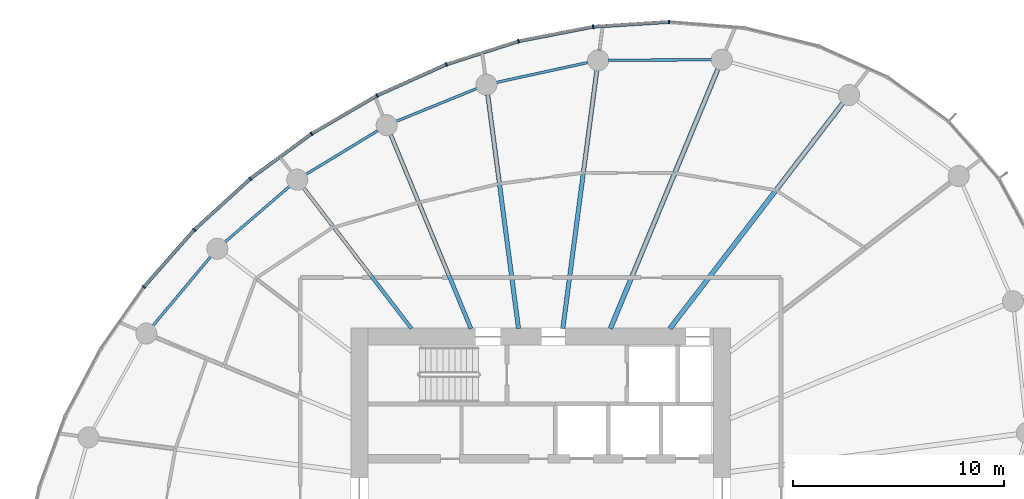
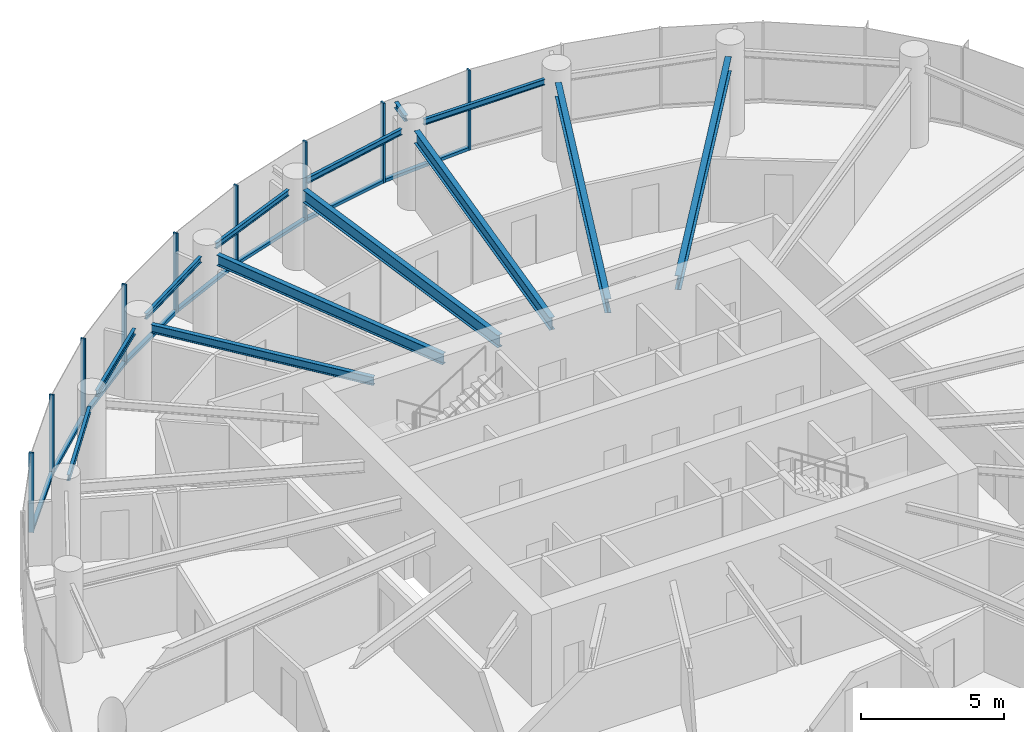
# One storey, part 5 of 15: 17 members, 13 beams, 3 elements without a shape of their own.
"""IFC4 building model written with IfcOpenShell, lengths in metres."""

from ifc_helpers import new_model, si_unit, direction, frame, origin, origin_2d, place, context, subcontext, project, spatial, rectangle, i_section, extrude, source, transform, mapped, material, layer, layer_set, material_profile, profile_set, type_object, element, aggregate, save


model = new_model("IFC4")

# Units and contexts
model_context = context("Model", 3, precision=1e-05, world=origin(), true_north=direction((0.0, 1.0)))
body_context = subcontext(model_context, "Body", "Model", "MODEL_VIEW")
ifc_project = project(units=[si_unit("LENGTHUNIT", "METRE"), si_unit("AREAUNIT", "SQUARE_METRE"), si_unit("VOLUMEUNIT", "CUBIC_METRE"), si_unit("PLANEANGLEUNIT", "RADIAN"), si_unit("MASSUNIT", "GRAM", prefix="KILO")], contexts=[model_context])

# Site, building, storey
site_placement = place(None, origin())
site = spatial("IfcSite", under=ifc_project, at=site_placement, CompositionType="ELEMENT")
building_placement = place(site_placement, origin())
building = spatial("IfcBuilding", under=site, at=building_placement, Name="Spindrift Exchange Tower", CompositionType="ELEMENT")
storey_placement = place(building_placement, frame((0.0, 0.0, 176.0)))
storey = spatial("IfcBuildingStorey", under=building, at=storey_placement, Name="L42", CompositionType="ELEMENT", Elevation=176.0)

# Beams
ifc_material_1 = material(Name="Steel Grade 300", Category="steel")
ifc_material_profile_1 = material_profile(ifc_material_1, i_section(OverallWidth=0.14599609375, OverallDepth=0.251953125, WebThickness=0.006103515625, FlangeThickness=0.008544921875, FilletRadius=0.011962890625, at=origin_2d()), Name="250UB31.4")
ifc_profile_set_1 = profile_set([ifc_material_profile_1], Name="Steel Grade 300")
beam_type_1 = type_object("IfcBeamType", Name="Cantilever Beam 250UB31.4 Steel Grade 300", PredefinedType="BEAM", material=ifc_profile_set_1)
shared_shape_1 = source(origin(), body_context, "Body", "SweptSolid", [
    extrude(i_section(OverallWidth=0.14599609375, OverallDepth=0.251953125, WebThickness=0.006103515625, FlangeThickness=0.008544921875, FilletRadius=0.011962890625, at=origin_2d()), origin(), (0.0, 0.0, 1.0), 0.9267578125),
])
beam_1_placement = place(storey_placement, frame((54.78857421875, 69.18115234375, 3.27392578125), z_axis=(0.130386374353, 0.991463258716, 0.0), x_axis=(-0.991463258716, 0.130386374353, 0.0)))
element("IfcBeam", 1, at=beam_1_placement, inside=storey, type_object=beam_type_1, Name="L42 cantilever beam R06T", PredefinedType="BEAM", context=body_context, shape_type="MappedRepresentation", body=[
    mapped(shared_shape_1, transform((0.0, 0.0, 0.0), scale=1.0)),
])
ifc_material_profile_2 = material_profile(ifc_material_1, i_section(OverallWidth=0.1240234375, OverallDepth=0.248046875, WebThickness=0.0048828125, FlangeThickness=0.008056640625, FilletRadius=0.011962890625, at=origin_2d()), Name="250UB25.7")
ifc_profile_set_2 = profile_set([ifc_material_profile_2], Name="Steel Grade 300")
beam_type_2 = type_object("IfcBeamType", Name="Edge Beam 250UB25.7 Steel Grade 300", PredefinedType="SPANDREL", material=ifc_profile_set_2)
shared_shape_2 = source(origin(), body_context, "Body", "SweptSolid", [
    extrude(i_section(OverallWidth=0.1240234375, OverallDepth=0.248046875, WebThickness=0.0048828125, FlangeThickness=0.008056640625, FilletRadius=0.011962890625, at=origin_2d()), origin(), (0.0, 0.0, 1.0), 4.901123046875),
])
beam_2_placement = place(storey_placement, frame((60.10693359375, 68.728759765625, 3.27587890625), z_axis=(-0.999990609444, -0.004333707747, 0.0), x_axis=(0.004333707747, -0.999990609444, 0.0)))
element("IfcBeam", 2, at=beam_2_placement, inside=storey, type_object=beam_type_2, Name="L42 edge beam E05", PredefinedType="SPANDREL", context=body_context, shape_type="MappedRepresentation", body=[
    mapped(shared_shape_2, transform((0.0, 0.0, 0.0), scale=1.0)),
])
shared_shape_3 = source(origin(), body_context, "Body", "SweptSolid", [
    extrude(i_section(OverallWidth=0.1240234375, OverallDepth=0.248046875, WebThickness=0.0048828125, FlangeThickness=0.008056640625, FilletRadius=0.011962890625, at=origin_2d()), origin(), (0.0, 0.0, 1.0), 4.464111328125),
])
beam_3_placement = place(storey_placement, frame((54.2568359375, 68.603271484375, 3.27587890625), z_axis=(-0.977095837978, -0.212799726048, 0.0), x_axis=(0.212799726048, -0.977095837978, 0.0)))
element("IfcBeam", 3, at=beam_3_placement, inside=storey, type_object=beam_type_2, Name="L42 edge beam E06", PredefinedType="SPANDREL", context=body_context, shape_type="MappedRepresentation", body=[
    mapped(shared_shape_3, transform((0.0, 0.0, 0.0), scale=1.0)),
])
shared_shape_4 = source(origin(), body_context, "Body", "SweptSolid", [
    extrude(i_section(OverallWidth=0.1240234375, OverallDepth=0.248046875, WebThickness=0.0048828125, FlangeThickness=0.008056640625, FilletRadius=0.011962890625, at=origin_2d()), origin(), (0.0, 0.0, 1.0), 4.143798828125),
])
beam_4_placement = place(storey_placement, frame((48.9814453125, 67.3701171875, 3.27587890625), z_axis=(-0.926113706975, -0.377244485385, 0.0), x_axis=(0.377244485385, -0.926113706975, 0.0)))
element("IfcBeam", 4, at=beam_4_placement, inside=storey, type_object=beam_type_2, Name="L42 edge beam E07", PredefinedType="SPANDREL", context=body_context, shape_type="MappedRepresentation", body=[
    mapped(shared_shape_4, transform((0.0, 0.0, 0.0), scale=1.0)),
])
shared_shape_5 = source(origin(), body_context, "Body", "SweptSolid", [
    extrude(i_section(OverallWidth=0.1240234375, OverallDepth=0.248046875, WebThickness=0.0048828125, FlangeThickness=0.008056640625, FilletRadius=0.011962890625, at=origin_2d()), origin(), (0.0, 0.0, 1.0), 4.00634765625),
])
beam_5_placement = place(storey_placement, frame((44.2890625, 65.376220703125, 3.27587890625), z_axis=(-0.854331495603, -0.519728482596, 0.0), x_axis=(0.519728482596, -0.854331495603, 0.0)))
element("IfcBeam", 5, at=beam_5_placement, inside=storey, type_object=beam_type_2, Name="L42 edge beam E08", PredefinedType="SPANDREL", context=body_context, shape_type="MappedRepresentation", body=[
    mapped(shared_shape_5, transform((0.0, 0.0, 0.0), scale=1.0)),
])
shared_shape_6 = source(origin(), body_context, "Body", "SweptSolid", [
    extrude(i_section(OverallWidth=0.1240234375, OverallDepth=0.248046875, WebThickness=0.0048828125, FlangeThickness=0.008056640625, FilletRadius=0.011962890625, at=origin_2d()), origin(), (0.0, 0.0, 1.0), 4.052001953125),
])
beam_6_placement = place(storey_placement, frame((40.093017578125, 62.730712890625, 3.27587890625), z_axis=(-0.756715968535, -0.65374379, 0.0), x_axis=(0.65374379, -0.756715968535, 0.0)))
element("IfcBeam", 6, at=beam_6_placement, inside=storey, type_object=beam_type_2, Name="L42 edge beam E09", PredefinedType="SPANDREL", context=body_context, shape_type="MappedRepresentation", body=[
    mapped(shared_shape_6, transform((0.0, 0.0, 0.0), scale=1.0)),
])
shared_shape_7 = source(origin(), body_context, "Body", "SweptSolid", [
    extrude(i_section(OverallWidth=0.1240234375, OverallDepth=0.248046875, WebThickness=0.0048828125, FlangeThickness=0.008056640625, FilletRadius=0.011962890625, at=origin_2d()), origin(), (0.0, 0.0, 1.0), 4.282958984375),
])
beam_7_placement = place(storey_placement, frame((36.355712890625, 59.399658203125, 3.27587890625), z_axis=(-0.641400288548, -0.767206406289, 0.0), x_axis=(0.767206406289, -0.641400288548, 0.0)))
element("IfcBeam", 7, at=beam_7_placement, inside=storey, type_object=beam_type_2, Name="L42 edge beam E10", PredefinedType="SPANDREL", context=body_context, shape_type="MappedRepresentation", body=[
    mapped(shared_shape_7, transform((0.0, 0.0, 0.0), scale=1.0)),
])
ifc_material_profile_3 = material_profile(ifc_material_1, i_section(OverallWidth=0.22802734375, OverallDepth=0.60205078125, WebThickness=0.010498046875, FlangeThickness=0.014892578125, FilletRadius=0.013916015625, at=origin_2d()), Name="610UB101")
ifc_profile_set_3 = profile_set([ifc_material_profile_3], Name="Steel Grade 300")
beam_type_3 = type_object("IfcBeamType", Name="Floor Beam 610UB101 Steel Grade 300", PredefinedType="BEAM", material=ifc_profile_set_3)
shared_shape_8 = source(origin(), body_context, "Body", "SweptSolid", [
    extrude(i_section(OverallWidth=0.22802734375, OverallDepth=0.60205078125, WebThickness=0.010498046875, FlangeThickness=0.014892578125, FilletRadius=0.013916015625, at=origin_2d()), origin(), (0.0, 0.0, 1.0), 13.480224609375),
])
beam_8_placement = place(storey_placement, frame((58.12646484375, 55.984130859375, 3.09912109375), z_axis=(0.608764179541, 0.793351229726, 0.0), x_axis=(-0.793351229726, 0.608764179541, 0.0)))
element("IfcBeam", 8, at=beam_8_placement, inside=storey, type_object=beam_type_3, Name="L42 radial beam R04A", PredefinedType="BEAM", context=body_context, shape_type="MappedRepresentation", body=[
    mapped(shared_shape_8, transform((0.0, 0.0, 0.0), scale=1.0)),
])
shared_shape_9 = source(origin(), body_context, "Body", "SweptSolid", [
    extrude(i_section(OverallWidth=0.22802734375, OverallDepth=0.60205078125, WebThickness=0.010498046875, FlangeThickness=0.014892578125, FilletRadius=0.013916015625, at=origin_2d()), origin(), (0.0, 0.0, 1.0), 13.31982421875),
])
beam_9_placement = place(storey_placement, frame((55.30615234375, 55.9814453125, 3.09912109375), z_axis=(0.382676632888, 0.923882348918, 0.0), x_axis=(-0.923882348918, 0.382676632888, 0.0)))
element("IfcBeam", 9, at=beam_9_placement, inside=storey, type_object=beam_type_3, Name="L42 radial beam R05A", PredefinedType="BEAM", context=body_context, shape_type="MappedRepresentation", body=[
    mapped(shared_shape_9, transform((0.0, 0.0, 0.0), scale=1.0)),
])
ifc_material_profile_4 = material_profile(ifc_material_1, i_section(OverallWidth=0.208984375, OverallDepth=0.528076171875, WebThickness=0.009521484375, FlangeThickness=0.01318359375, FilletRadius=0.013916015625, at=origin_2d()), Name="530UB82.0")
ifc_profile_set_4 = profile_set([ifc_material_profile_4], Name="Steel Grade 300")
beam_type_4 = type_object("IfcBeamType", Name="Floor Beam 530UB82.0 Steel Grade 300", PredefinedType="BEAM", material=ifc_profile_set_4)
shared_shape_10 = source(origin(), body_context, "Body", "SweptSolid", [
    extrude(i_section(OverallWidth=0.208984375, OverallDepth=0.528076171875, WebThickness=0.009521484375, FlangeThickness=0.01318359375, FilletRadius=0.013916015625, at=origin_2d()), origin(), (0.0, 0.0, 1.0), 12.35498046875),
])
beam_10_placement = place(storey_placement, frame((53.050537109375, 55.980224609375, 3.135986328125), z_axis=(0.130537831721, 0.991443328935, 0.0), x_axis=(-0.991443328935, 0.130537831721, 0.0)))
element("IfcBeam", 10, at=beam_10_placement, inside=storey, type_object=beam_type_4, Name="L42 radial beam R06A", PredefinedType="BEAM", context=body_context, shape_type="MappedRepresentation", body=[
    mapped(shared_shape_10, transform((0.0, 0.0, 0.0), scale=1.0)),
])
shared_shape_11 = source(origin(), body_context, "Body", "SweptSolid", [
    extrude(i_section(OverallWidth=0.208984375, OverallDepth=0.528076171875, WebThickness=0.009521484375, FlangeThickness=0.01318359375, FilletRadius=0.013916015625, at=origin_2d()), origin(), (0.0, 0.0, 1.0), 11.19091796875),
])
beam_11_placement = place(storey_placement, frame((50.949462890625, 55.980224609375, 3.135986328125), z_axis=(-0.130524489434, 0.991445085548, 0.0), x_axis=(-0.991445085548, -0.130524489434, 0.0)))
element("IfcBeam", 11, at=beam_11_placement, inside=storey, type_object=beam_type_4, Name="L42 radial beam R07A", PredefinedType="BEAM", context=body_context, shape_type="MappedRepresentation", body=[
    mapped(shared_shape_11, transform((0.0, 0.0, 0.0), scale=1.0)),
])
ifc_material_profile_5 = material_profile(ifc_material_1, i_section(OverallWidth=0.18994140625, OverallDepth=0.4541015625, WebThickness=0.008544921875, FlangeThickness=0.0126953125, FilletRadius=0.013916015625, at=origin_2d()), Name="460UB67.1")
ifc_profile_set_5 = profile_set([ifc_material_profile_5], Name="Steel Grade 300")
beam_type_5 = type_object("IfcBeamType", Name="Floor Beam 460UB67.1 Steel Grade 300", PredefinedType="BEAM", material=ifc_profile_set_5)
shared_shape_12 = source(origin(), body_context, "Body", "SweptSolid", [
    extrude(i_section(OverallWidth=0.18994140625, OverallDepth=0.4541015625, WebThickness=0.008544921875, FlangeThickness=0.0126953125, FilletRadius=0.013916015625, at=origin_2d()), origin(), (0.0, 0.0, 1.0), 9.958984375),
])
beam_12_placement = place(storey_placement, frame((48.69384765625, 55.9814453125, 3.173095703125), z_axis=(-0.382673670509, 0.923883575944, 0.0), x_axis=(-0.923883575944, -0.382673670509, 0.0)))
element("IfcBeam", 12, at=beam_12_placement, inside=storey, type_object=beam_type_5, Name="L42 radial beam R08A", PredefinedType="BEAM", context=body_context, shape_type="MappedRepresentation", body=[
    mapped(shared_shape_12, transform((0.0, 0.0, 0.0), scale=1.0)),
])
ifc_material_profile_6 = material_profile(ifc_material_1, i_section(OverallWidth=0.1708984375, OverallDepth=0.35205078125, WebThickness=0.0068359375, FlangeThickness=0.009765625, FilletRadius=0.013916015625, at=origin_2d()), Name="360UB44.7")
ifc_profile_set_6 = profile_set([ifc_material_profile_6], Name="Steel Grade 300")
beam_type_6 = type_object("IfcBeamType", Name="Floor Beam 360UB44.7 Steel Grade 300", PredefinedType="BEAM", material=ifc_profile_set_6)
shared_shape_13 = source(origin(), body_context, "Body", "SweptSolid", [
    extrude(i_section(OverallWidth=0.1708984375, OverallDepth=0.35205078125, WebThickness=0.0068359375, FlangeThickness=0.009765625, FilletRadius=0.013916015625, at=origin_2d()), origin(), (0.0, 0.0, 1.0), 8.419189453125),
])
beam_13_placement = place(storey_placement, frame((45.87353515625, 55.984130859375, 3.22412109375), z_axis=(-0.608755970582, 0.79335752866, 0.0), x_axis=(-0.79335752866, -0.608755970582, 0.0)))
element("IfcBeam", 13, at=beam_13_placement, inside=storey, type_object=beam_type_6, Name="L42 radial beam R09A", PredefinedType="BEAM", context=body_context, shape_type="MappedRepresentation", body=[
    mapped(shared_shape_13, transform((0.0, 0.0, 0.0), scale=1.0)),
])

# Curtain wall, members
ifc_material_2 = material(Name="Fritted laminated glass with bronze frame", Category="glass")
ifc_layer = layer(ifc_material_2, 0.179931640625)
ifc_layer_set = layer_set([ifc_layer], Name="ZONE 3 BRONZE FRITTED WALL")
curtain_wall_type = type_object("IfcCurtainWallType", Name="ZONE 3 BRONZE FRITTED WALL", PredefinedType="NOTDEFINED", material=ifc_layer_set)
curtain_wall_1_placement = place(storey_placement, origin())
curtain_wall_1 = element("IfcCurtainWall", 14, at=curtain_wall_1_placement, inside=storey, type_object=curtain_wall_type, Name="L42 Zone 3 Bronze Fritted Wall run 2", PredefinedType="NOTDEFINED")
ifc_material_3 = material(Name="Bronze anodised aluminium", Category="aluminium")
ifc_material_profile_7 = material_profile(ifc_material_3, rectangle(XDim=0.159912109375, YDim=0.1298828125, at=origin_2d()), Name="ZONE 3 BRONZE FRITTED WALL TRANSOM 160X130")
ifc_profile_set_7 = profile_set([ifc_material_profile_7], Name="Bronze anodised aluminium")
member_type_1 = type_object("IfcMemberType", Name="ZONE 3 BRONZE FRITTED WALL TRANSOM 160X130", PredefinedType="USERDEFINED", material=ifc_profile_set_7)
shared_shape_14 = source(origin(), body_context, "Body", "SweptSolid", [
    extrude(rectangle(XDim=0.159912109375, YDim=0.1298828125, at=origin_2d()), origin(), (0.0, 0.0, 1.0), 3.53076171875),
])
member_1_placement = place(storey_placement, frame((50.9208984375, 69.598876953125, 0.06494140625), z_axis=(-0.952150791062, -0.305628648983, 0.0), x_axis=(0.305628648983, -0.952150791062, 0.0)))
member_1 = element("IfcMember", 15, at=member_1_placement, type_object=member_type_1, Name="L42 transom CW-3.8", ObjectType="TRANSOM", PredefinedType="USERDEFINED", context=body_context, shape_type="MappedRepresentation", body=[
    mapped(shared_shape_14, transform((0.0, 0.0, 0.0), scale=1.0)),
])
member_2_placement = place(storey_placement, frame((47.493896484375, 68.494873046875, 0.06494140625), z_axis=(-0.912406052899, -0.409286201372, 0.0), x_axis=(0.409286201372, -0.912406052899, 0.0)))
member_2 = element("IfcMember", 16, at=member_2_placement, type_object=member_type_1, Name="L42 transom CW-3.9", ObjectType="TRANSOM", PredefinedType="USERDEFINED", context=body_context, shape_type="MappedRepresentation", body=[
    mapped(shared_shape_14, transform((0.0, 0.0, 0.0), scale=1.0)),
])
member_3_placement = place(storey_placement, frame((44.210205078125, 67.017822265625, 0.06494140625), z_axis=(-0.863545580048, -0.50427079152, 0.0), x_axis=(0.50427079152, -0.863545580048, 0.0)))
member_3 = element("IfcMember", 17, at=member_3_placement, type_object=member_type_1, Name="L42 transom CW-3.10", ObjectType="TRANSOM", PredefinedType="USERDEFINED", context=body_context, shape_type="MappedRepresentation", body=[
    mapped(shared_shape_14, transform((0.0, 0.0, 0.0), scale=1.0)),
])
member_4_placement = place(storey_placement, frame((38.202880859375, 63.064453125, 0.06494140625), z_axis=(-0.739088468668, -0.673608369516, 0.0), x_axis=(0.673608369516, -0.739088468668, 0.0)))
member_4 = element("IfcMember", 18, at=member_4_placement, type_object=member_type_1, Name="L42 transom CW-3.12", ObjectType="TRANSOM", PredefinedType="USERDEFINED", context=body_context, shape_type="MappedRepresentation", body=[
    mapped(shared_shape_14, transform((0.0, 0.0, 0.0), scale=1.0)),
])

# Curtain wall, member
curtain_wall_2_placement = place(storey_placement, origin())
curtain_wall_2 = element("IfcCurtainWall", 19, at=curtain_wall_2_placement, inside=storey, type_object=curtain_wall_type, Name="L42 Zone 3 Bronze Fritted Wall run 3", PredefinedType="NOTDEFINED")
member_5_placement = place(storey_placement, frame((35.544189453125, 60.63623046875, 0.06494140625), z_axis=(-0.661685671384, -0.749781349652, 0.0), x_axis=(0.749781349652, -0.661685671384, 0.0)))
member_5 = element("IfcMember", 20, at=member_5_placement, type_object=member_type_1, Name="L42 transom CW-3.13", ObjectType="TRANSOM", PredefinedType="USERDEFINED", context=body_context, shape_type="MappedRepresentation", body=[
    mapped(shared_shape_14, transform((0.0, 0.0, 0.0), scale=1.0)),
])

# Member
shared_shape_15 = source(origin(), body_context, "Body", "SweptSolid", [
    extrude(rectangle(XDim=0.159912109375, YDim=0.1298828125, at=origin_2d()), origin(), (0.0, 0.0, 1.0), 3.531005859375),
])
member_6_placement = place(storey_placement, frame((41.102783203125, 65.198974609375, 0.06494140625), z_axis=(-0.805991543946, -0.591927048788, 0.0), x_axis=(0.591927048788, -0.805991543946, 0.0)))
member_6 = element("IfcMember", 21, at=member_6_placement, type_object=member_type_1, Name="L42 transom CW-3.11", ObjectType="TRANSOM", PredefinedType="USERDEFINED", context=body_context, shape_type="MappedRepresentation", body=[
    mapped(shared_shape_15, transform((0.0, 0.0, 0.0), scale=1.0)),
])

shared_shape_16 = source(origin(), body_context, "Body", "SweptSolid", [
    extrude(rectangle(XDim=0.159912109375, YDim=0.1298828125, at=origin_2d()), origin(), (0.0, 0.0, 1.0), 3.5302734375),
])
member_7_placement = place(storey_placement, frame((54.453857421875, 70.29052734375, 0.06494140625), z_axis=(-0.981588746367, -0.191006630792, 0.0), x_axis=(0.191006630792, -0.981588746367, 0.0)))
member_7 = element("IfcMember", 22, at=member_7_placement, type_object=member_type_1, Name="L42 transom CW-3.7", ObjectType="TRANSOM", PredefinedType="USERDEFINED", context=body_context, shape_type="MappedRepresentation", body=[
    mapped(shared_shape_16, transform((0.0, 0.0, 0.0), scale=1.0)),
])

# Curtain wall, members
curtain_wall_3_placement = place(storey_placement, origin())
curtain_wall_3 = element("IfcCurtainWall", 23, at=curtain_wall_3_placement, inside=storey, type_object=curtain_wall_type, Name="L42 Zone 3 Bronze Fritted Wall run 1", PredefinedType="NOTDEFINED")
shared_shape_17 = source(origin(), body_context, "Body", "SweptSolid", [
    extrude(rectangle(XDim=0.159912109375, YDim=0.1298828125, at=origin_2d()), origin(), (0.0, 0.0, 1.0), 3.52978515625),
])
member_8_placement = place(storey_placement, frame((58.0458984375, 70.5234375, 0.06494140625), z_axis=(-0.997982252094, -0.063493499717, 0.0), x_axis=(0.063493499717, -0.997982252094, 0.0)))
member_8 = element("IfcMember", 24, at=member_8_placement, type_object=member_type_1, Name="L42 transom CW-3.6", ObjectType="TRANSOM", PredefinedType="USERDEFINED", context=body_context, shape_type="MappedRepresentation", body=[
    mapped(shared_shape_17, transform((0.0, 0.0, 0.0), scale=1.0)),
])
ifc_material_profile_8 = material_profile(ifc_material_3, rectangle(XDim=0.070068359375, YDim=0.179931640625, at=origin_2d()), Name="ZONE 3 BRONZE FRITTED WALL MULLION 70X180")
ifc_profile_set_8 = profile_set([ifc_material_profile_8], Name="Bronze anodised aluminium")
member_type_2 = type_object("IfcMemberType", Name="ZONE 3 BRONZE FRITTED WALL MULLION 70X180", PredefinedType="MULLION", material=ifc_profile_set_8)
shared_shape_18 = source(origin(), body_context, "Body", "SweptSolid", [
    extrude(rectangle(XDim=0.070068359375, YDim=0.179931640625, at=origin_2d()), origin(), (0.0, 0.0, 1.0), 3.39990234375),
])
member_9_placement = place(storey_placement, frame((58.080810546875, 70.525634765625, 0.0), z_axis=(0.0, 0.0, 1.0), x_axis=(-0.999968436581, 0.007945177312, 0.0)))
member_9 = element("IfcMember", 25, at=member_9_placement, type_object=member_type_2, Name="L42 mullion CW-3.6", PredefinedType="MULLION", context=body_context, shape_type="MappedRepresentation", body=[
    mapped(shared_shape_18, transform((0.0, 0.0, 0.0), scale=1.0)),
])
aggregate(curtain_wall_3, [member_9, member_8])

# Member
member_10_placement = place(storey_placement, frame((54.48828125, 70.297119140625, 0.0), z_axis=(0.0, 0.0, 1.0), x_axis=(-0.991839391801, -0.127493611103, 0.0)))
member_10 = element("IfcMember", 26, at=member_10_placement, type_object=member_type_2, Name="L42 mullion CW-3.7", PredefinedType="MULLION", context=body_context, shape_type="MappedRepresentation", body=[
    mapped(shared_shape_18, transform((0.0, 0.0, 0.0), scale=1.0)),
])

member_11_placement = place(storey_placement, frame((50.9541015625, 69.609619140625, 0.0), z_axis=(0.0, 0.0, 1.0), x_axis=(-0.968571823125, -0.248734041594, 0.0)))
member_11 = element("IfcMember", 27, at=member_11_placement, type_object=member_type_2, Name="L42 mullion CW-3.8", PredefinedType="MULLION", context=body_context, shape_type="MappedRepresentation", body=[
    mapped(shared_shape_18, transform((0.0, 0.0, 0.0), scale=1.0)),
])

member_12_placement = place(storey_placement, frame((47.52587890625, 68.50927734375, 0.0), z_axis=(0.0, 0.0, 1.0), x_axis=(-0.933722443922, -0.357997762166, 0.0)))
member_12 = element("IfcMember", 28, at=member_12_placement, type_object=member_type_2, Name="L42 mullion CW-3.9", PredefinedType="MULLION", context=body_context, shape_type="MappedRepresentation", body=[
    mapped(shared_shape_18, transform((0.0, 0.0, 0.0), scale=1.0)),
])

member_13_placement = place(storey_placement, frame((44.240478515625, 67.035400390625, 0.0), z_axis=(0.0, 0.0, 1.0), x_axis=(-0.889249049799, -0.457423356894, 0.0)))
member_13 = element("IfcMember", 29, at=member_13_placement, type_object=member_type_2, Name="L42 mullion CW-3.10", PredefinedType="MULLION", context=body_context, shape_type="MappedRepresentation", body=[
    mapped(shared_shape_18, transform((0.0, 0.0, 0.0), scale=1.0)),
])

member_14_placement = place(storey_placement, frame((41.130859375, 65.2197265625, 0.0), z_axis=(0.0, 0.0, 1.0), x_axis=(-0.835916795872, -0.548856183694, 0.0)))
member_14 = element("IfcMember", 30, at=member_14_placement, type_object=member_type_2, Name="L42 mullion CW-3.11", PredefinedType="MULLION", context=body_context, shape_type="MappedRepresentation", body=[
    mapped(shared_shape_18, transform((0.0, 0.0, 0.0), scale=1.0)),
])

member_15_placement = place(storey_placement, frame((38.228759765625, 63.088134765625, 0.0), z_axis=(0.0, 0.0, 1.0), x_axis=(-0.77359943165, -0.633674931925, 0.0)))
member_15 = element("IfcMember", 31, at=member_15_placement, type_object=member_type_2, Name="L42 mullion CW-3.12", PredefinedType="MULLION", context=body_context, shape_type="MappedRepresentation", body=[
    mapped(shared_shape_18, transform((0.0, 0.0, 0.0), scale=1.0)),
])

aggregate(curtain_wall_1, [member_10, member_7, member_11, member_1, member_12, member_2, member_13, member_3, member_14, member_6, member_15, member_4])

member_16_placement = place(storey_placement, frame((35.5673828125, 60.66259765625, 0.0), z_axis=(0.0, 0.0, 1.0), x_axis=(-0.70141614386, -0.71275198571, 0.0)))
member_16 = element("IfcMember", 32, at=member_16_placement, type_object=member_type_2, Name="L42 mullion CW-3.13", PredefinedType="MULLION", context=body_context, shape_type="MappedRepresentation", body=[
    mapped(shared_shape_18, transform((0.0, 0.0, 0.0), scale=1.0)),
])

member_17_placement = place(storey_placement, frame((33.184814453125, 57.962890625, 0.0), z_axis=(0.0, 0.0, 1.0), x_axis=(-0.617748368486, -0.786375834593, 0.0)))
member_17 = element("IfcMember", 33, at=member_17_placement, type_object=member_type_2, Name="L42 mullion CW-3.14", PredefinedType="MULLION", context=body_context, shape_type="MappedRepresentation", body=[
    mapped(shared_shape_18, transform((0.0, 0.0, 0.0), scale=1.0)),
])

aggregate(curtain_wall_2, [member_16, member_5, member_17])

save(model, "model.ifc")
